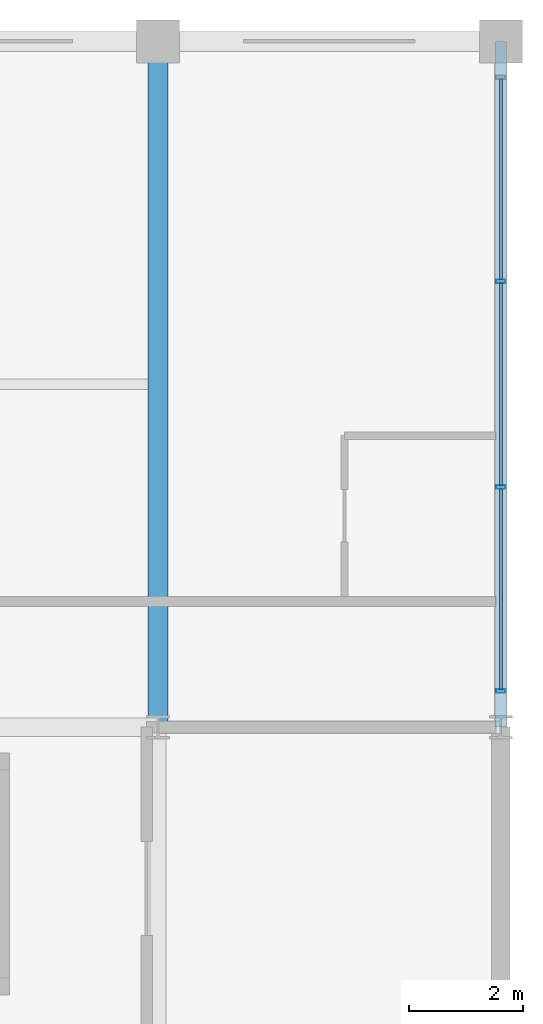
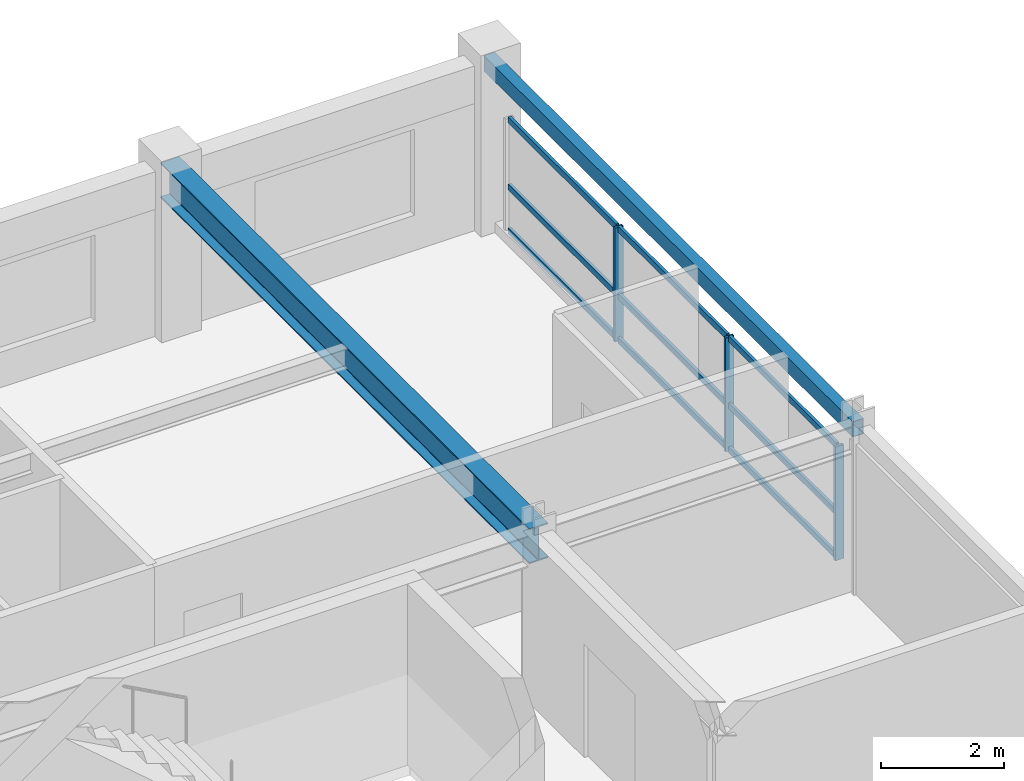
# One storey, part 11 of 20: 12 members, 2 beams, 1 element without a shape of its own.
"""IFC4 building model written with IfcOpenShell, lengths in metres."""

from ifc_helpers import new_model, si_unit, direction, frame, origin, origin_2d, place, context, subcontext, project, spatial, hollow_rectangle, i_section, extrude, material, material_profile, profile_set, type_object, element, aggregate, save


model = new_model("IFC4")

# Units and contexts
model_context = context("Model", 3, precision=1e-05, world=origin(), true_north=direction((0.0, 1.0)))
body_context = subcontext(model_context, "Body", "Model", "MODEL_VIEW")
ifc_project = project(units=[si_unit("LENGTHUNIT", "METRE"), si_unit("AREAUNIT", "SQUARE_METRE"), si_unit("VOLUMEUNIT", "CUBIC_METRE"), si_unit("PLANEANGLEUNIT", "RADIAN"), si_unit("MASSUNIT", "GRAM", prefix="KILO")], contexts=[model_context])

# Site, building, storey
site_placement = place(None, origin())
site = spatial("IfcSite", under=ifc_project, at=site_placement, CompositionType="ELEMENT")
building_placement = place(site_placement, origin())
building = spatial("IfcBuilding", under=site, at=building_placement, Name="Kaldorvane Square Convention Centre", CompositionType="ELEMENT")
storey_placement = place(building_placement, frame((0.0, 0.0, 56.399993896484375)))
storey = spatial("IfcBuildingStorey", under=building, at=storey_placement, Name="L13", CompositionType="ELEMENT", Elevation=56.399993896484375)

# Beams
ifc_material_1 = material(Name="Steel ASTM A992 Gr. 50", Category="steel")
ifc_material_profile_1 = material_profile(ifc_material_1, i_section(OverallWidth=0.354705810546875, OverallDepth=0.69549560546875, WebThickness=0.0153961181640625, FlangeThickness=0.0251007080078125, FilletRadius=0.01519775390625, at=origin_2d()), Name="W27X146")
ifc_profile_set_1 = profile_set([ifc_material_profile_1], Name="Steel ASTM A992 Gr. 50")
beam_type_1 = type_object("IfcBeamType", Name="BM-GR-W27X146", PredefinedType="BEAM", material=ifc_profile_set_1)
beam_1_placement = place(storey_placement, frame((78.0, 105.0, 2.9383087158203125), z_axis=(0.0, 1.0, 0.0), x_axis=(-1.0, 0.0, 0.0)))
element("IfcBeam", 1, at=beam_1_placement, inside=storey, type_object=beam_type_1, Name="Transverse Girder (L13)", PredefinedType="BEAM", context=body_context, shape_type="SweptSolid", body=[
    extrude(i_section(OverallWidth=0.354705810546875, OverallDepth=0.69549560546875, WebThickness=0.0153961181640625, FlangeThickness=0.0251007080078125, FilletRadius=0.01519775390625, at=origin_2d()), origin(), (0.0, 0.0, 1.0), 12.0),
])
ifc_material_2 = material(Name="Steel ASTM A500 Gr. C", Category="steel")
ifc_material_profile_2 = material_profile(ifc_material_2, hollow_rectangle(XDim=0.2032012939453125, YDim=0.3047943115234375, WallThickness=0.0088958740234375, at=origin_2d()), Name="HSS12X8X3/8")
ifc_profile_set_2 = profile_set([ifc_material_profile_2], Name="Steel ASTM A500 Gr. C")
beam_type_2 = type_object("IfcBeamType", Name="BM-SP-HSS12", PredefinedType="SPANDREL", material=ifc_profile_set_2)
beam_2_placement = place(storey_placement, frame((84.0, 105.0, 3.13360595703125), z_axis=(0.0, 1.0, 0.0), x_axis=(-1.0, 0.0, 0.0)))
element("IfcBeam", 2, at=beam_2_placement, inside=storey, type_object=beam_type_2, Name="End Spandrel (L13)", PredefinedType="SPANDREL", context=body_context, shape_type="SweptSolid", body=[
    extrude(hollow_rectangle(XDim=0.2032012939453125, YDim=0.3047943115234375, WallThickness=0.0088958740234375, at=origin_2d()), origin(), (0.0, 0.0, 1.0), 12.0),
])

# Curtain wall, members
ifc_material_3 = material(Name="Anodized Aluminum and Low-E Insulated Glazing", Category="aluminium")
curtain_wall_type = type_object("IfcCurtainWallType", Name="CW-UNI-HTL-A", PredefinedType="USERDEFINED", material=ifc_material_3)
curtain_wall_placement = place(storey_placement, origin())
curtain_wall = element("IfcCurtainWall", 3, at=curtain_wall_placement, inside=storey, type_object=curtain_wall_type, Name="Curtain Wall CW-10 (L13)", ObjectType="UNITISED GLAZING", PredefinedType="USERDEFINED")
ifc_material_profile_3 = material_profile(ifc_material_3, hollow_rectangle(XDim=0.05999755859375, YDim=0.160003662109375, WallThickness=0.003204345703125, at=origin_2d()), Name="CWM-160X60")
ifc_profile_set_3 = profile_set([ifc_material_profile_3], Name="Anodized Aluminum and Low-E Insulated Glazing")
member_type_1 = type_object("IfcMemberType", Name="CW-MUL-160", PredefinedType="MULLION", material=ifc_profile_set_3)
member_1_placement = place(storey_placement, frame((84.0, 105.6300048828125, 0.1500091552734375), z_axis=(0.0, 0.0, 1.0), x_axis=(0.0, 1.0, 0.0)))
member_1 = element("IfcMember", 4, at=member_1_placement, type_object=member_type_1, Name="CW-10 mullion 1", PredefinedType="MULLION", context=body_context, shape_type="SweptSolid", body=[
    extrude(hollow_rectangle(XDim=0.05999755859375, YDim=0.160003662109375, WallThickness=0.003204345703125, at=origin_2d()), origin(), (0.0, 0.0, 1.0), 2.2599945068359375),
])
member_2_placement = place(storey_placement, frame((84.0, 109.19999694824219, 0.1500091552734375), z_axis=(0.0, 0.0, 1.0), x_axis=(0.0, 1.0, 0.0)))
member_2 = element("IfcMember", 5, at=member_2_placement, type_object=member_type_1, Name="CW-10 mullion 2", PredefinedType="MULLION", context=body_context, shape_type="SweptSolid", body=[
    extrude(hollow_rectangle(XDim=0.05999755859375, YDim=0.160003662109375, WallThickness=0.003204345703125, at=origin_2d()), origin(), (0.0, 0.0, 1.0), 2.2599945068359375),
])
member_3_placement = place(storey_placement, frame((84.0, 112.80000305175781, 0.1500091552734375), z_axis=(0.0, 0.0, 1.0), x_axis=(0.0, 1.0, 0.0)))
member_3 = element("IfcMember", 6, at=member_3_placement, type_object=member_type_1, Name="CW-10 mullion 3", PredefinedType="MULLION", context=body_context, shape_type="SweptSolid", body=[
    extrude(hollow_rectangle(XDim=0.05999755859375, YDim=0.160003662109375, WallThickness=0.003204345703125, at=origin_2d()), origin(), (0.0, 0.0, 1.0), 2.2599945068359375),
])
ifc_material_profile_4 = material_profile(ifc_material_3, hollow_rectangle(XDim=0.05499267578125, YDim=0.1199951171875, WallThickness=0.0030059814453125, at=origin_2d()), Name="CWT-120X55")
ifc_profile_set_4 = profile_set([ifc_material_profile_4], Name="Anodized Aluminum and Low-E Insulated Glazing")
member_type_2 = type_object("IfcMemberType", Name="CW-TRN-120", PredefinedType="USERDEFINED", material=ifc_profile_set_4)
member_4_placement = place(storey_placement, frame((84.0, 105.66000366210938, 0.1775054931640625), z_axis=(0.0, 1.0, 0.0), x_axis=(-1.0, 0.0, 0.0)))
member_4 = element("IfcMember", 7, at=member_4_placement, type_object=member_type_2, Name="CW-10 transom 1.1", ObjectType="TRANSOM", PredefinedType="USERDEFINED", context=body_context, shape_type="SweptSolid", body=[
    extrude(hollow_rectangle(XDim=0.05499267578125, YDim=0.1199951171875, WallThickness=0.0030059814453125, at=origin_2d()), origin(), (0.0, 0.0, 1.0), 3.5099945068359375),
])
member_5_placement = place(storey_placement, frame((84.0, 105.66000366210938, 1.0500030517578125), z_axis=(0.0, 1.0, 0.0), x_axis=(-1.0, 0.0, 0.0)))
member_5 = element("IfcMember", 8, at=member_5_placement, type_object=member_type_2, Name="CW-10 transom 1.2", ObjectType="TRANSOM", PredefinedType="USERDEFINED", context=body_context, shape_type="SweptSolid", body=[
    extrude(hollow_rectangle(XDim=0.05499267578125, YDim=0.1199951171875, WallThickness=0.0030059814453125, at=origin_2d()), origin(), (0.0, 0.0, 1.0), 3.5099945068359375),
])
member_6_placement = place(storey_placement, frame((84.0, 105.66000366210938, 2.38250732421875), z_axis=(0.0, 1.0, 0.0), x_axis=(-1.0, 0.0, 0.0)))
member_6 = element("IfcMember", 9, at=member_6_placement, type_object=member_type_2, Name="CW-10 transom 1.3", ObjectType="TRANSOM", PredefinedType="USERDEFINED", context=body_context, shape_type="SweptSolid", body=[
    extrude(hollow_rectangle(XDim=0.05499267578125, YDim=0.1199951171875, WallThickness=0.0030059814453125, at=origin_2d()), origin(), (0.0, 0.0, 1.0), 3.5099945068359375),
])
member_7_placement = place(storey_placement, frame((84.0, 109.22999572753906, 0.1775054931640625), z_axis=(0.0, 1.0, 0.0), x_axis=(-1.0, 0.0, 0.0)))
member_7 = element("IfcMember", 10, at=member_7_placement, type_object=member_type_2, Name="CW-10 transom 2.1", ObjectType="TRANSOM", PredefinedType="USERDEFINED", context=body_context, shape_type="SweptSolid", body=[
    extrude(hollow_rectangle(XDim=0.05499267578125, YDim=0.1199951171875, WallThickness=0.0030059814453125, at=origin_2d()), origin(), (0.0, 0.0, 1.0), 3.540008544921875),
])
member_8_placement = place(storey_placement, frame((84.0, 109.22999572753906, 1.0500030517578125), z_axis=(0.0, 1.0, 0.0), x_axis=(-1.0, 0.0, 0.0)))
member_8 = element("IfcMember", 11, at=member_8_placement, type_object=member_type_2, Name="CW-10 transom 2.2", ObjectType="TRANSOM", PredefinedType="USERDEFINED", context=body_context, shape_type="SweptSolid", body=[
    extrude(hollow_rectangle(XDim=0.05499267578125, YDim=0.1199951171875, WallThickness=0.0030059814453125, at=origin_2d()), origin(), (0.0, 0.0, 1.0), 3.540008544921875),
])
member_9_placement = place(storey_placement, frame((84.0, 109.22999572753906, 2.38250732421875), z_axis=(0.0, 1.0, 0.0), x_axis=(-1.0, 0.0, 0.0)))
member_9 = element("IfcMember", 12, at=member_9_placement, type_object=member_type_2, Name="CW-10 transom 2.3", ObjectType="TRANSOM", PredefinedType="USERDEFINED", context=body_context, shape_type="SweptSolid", body=[
    extrude(hollow_rectangle(XDim=0.05499267578125, YDim=0.1199951171875, WallThickness=0.0030059814453125, at=origin_2d()), origin(), (0.0, 0.0, 1.0), 3.540008544921875),
])
member_10_placement = place(storey_placement, frame((84.0, 112.83000183105469, 0.1775054931640625), z_axis=(0.0, 1.0, 0.0), x_axis=(-1.0, 0.0, 0.0)))
member_10 = element("IfcMember", 13, at=member_10_placement, type_object=member_type_2, Name="CW-10 transom 3.1", ObjectType="TRANSOM", PredefinedType="USERDEFINED", context=body_context, shape_type="SweptSolid", body=[
    extrude(hollow_rectangle(XDim=0.05499267578125, YDim=0.1199951171875, WallThickness=0.0030059814453125, at=origin_2d()), origin(), (0.0, 0.0, 1.0), 3.5099945068359375),
])
member_11_placement = place(storey_placement, frame((84.0, 112.83000183105469, 1.0500030517578125), z_axis=(0.0, 1.0, 0.0), x_axis=(-1.0, 0.0, 0.0)))
member_11 = element("IfcMember", 14, at=member_11_placement, type_object=member_type_2, Name="CW-10 transom 3.2", ObjectType="TRANSOM", PredefinedType="USERDEFINED", context=body_context, shape_type="SweptSolid", body=[
    extrude(hollow_rectangle(XDim=0.05499267578125, YDim=0.1199951171875, WallThickness=0.0030059814453125, at=origin_2d()), origin(), (0.0, 0.0, 1.0), 3.5099945068359375),
])
member_12_placement = place(storey_placement, frame((84.0, 112.83000183105469, 2.38250732421875), z_axis=(0.0, 1.0, 0.0), x_axis=(-1.0, 0.0, 0.0)))
member_12 = element("IfcMember", 15, at=member_12_placement, type_object=member_type_2, Name="CW-10 transom 3.3", ObjectType="TRANSOM", PredefinedType="USERDEFINED", context=body_context, shape_type="SweptSolid", body=[
    extrude(hollow_rectangle(XDim=0.05499267578125, YDim=0.1199951171875, WallThickness=0.0030059814453125, at=origin_2d()), origin(), (0.0, 0.0, 1.0), 3.5099945068359375),
])
aggregate(curtain_wall, [member_1, member_2, member_3, member_4, member_5, member_6, member_7, member_8, member_9, member_10, member_11, member_12])

save(model, "model.ifc")
